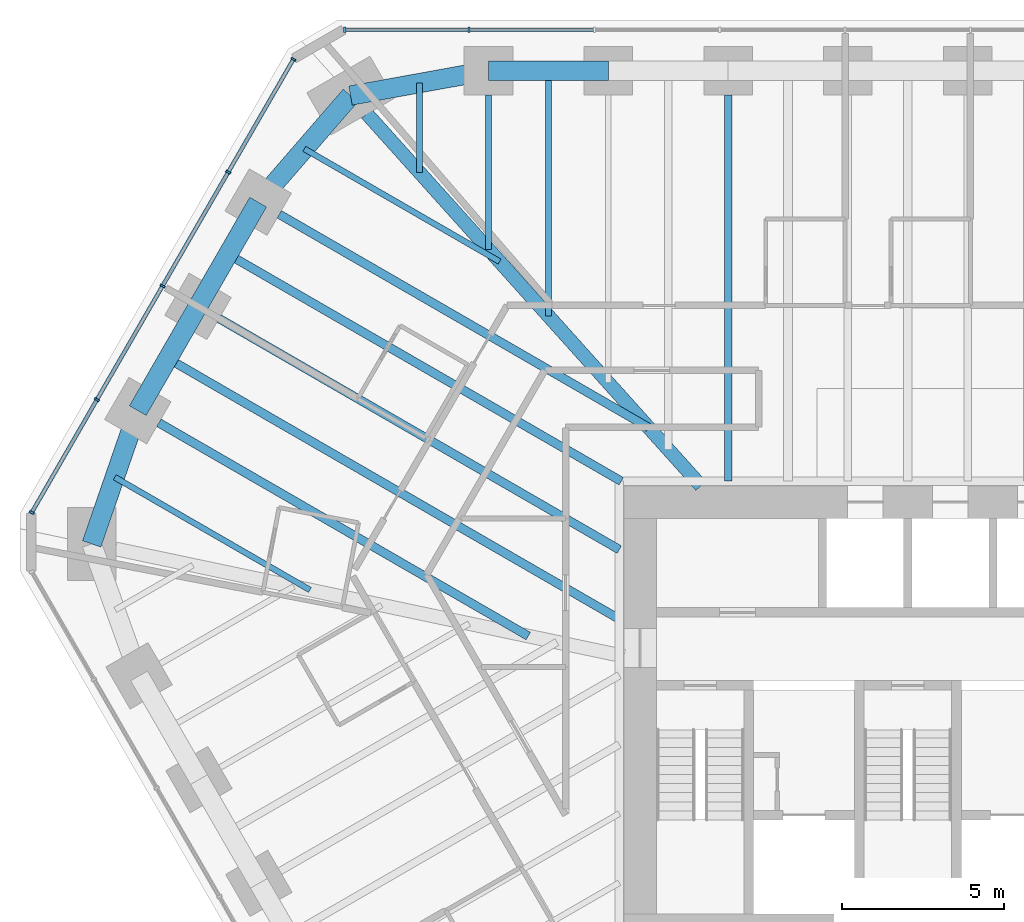
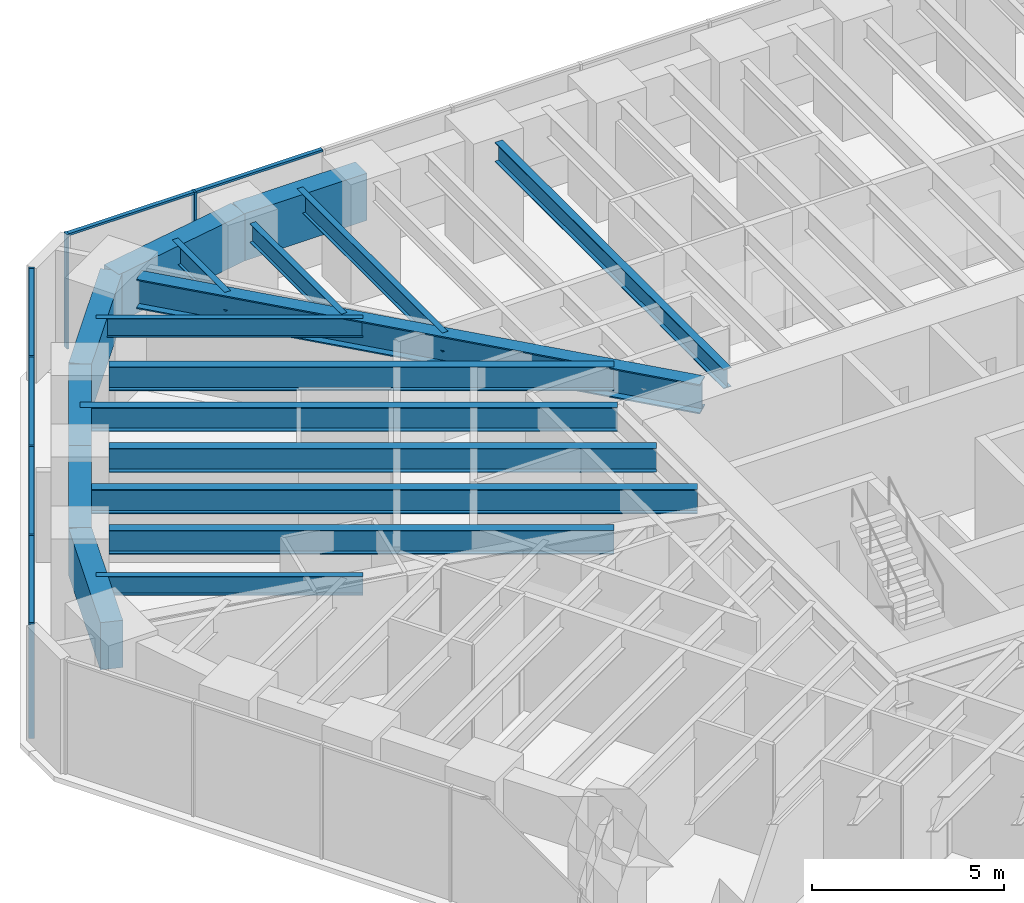
# One storey, part 7 of 16: 18 beams, 13 members, 2 elements without a shape of their own.
"""IFC4 building model written with IfcOpenShell, lengths in metres."""

import ifcopenshell
import ifcopenshell.guid

model = None  # the IFC model being written
_history = None  # IfcOwnerHistory: only IFC2X3 demands one
_inside = {}  # id of a spatial element -> (the spatial element, [elements in it])
_under = {}  # id of a project, library or spatial element -> (it, [spatial elements below it])
_declared = {}  # id of a project -> (the project, [libraries it declares])
_typed = {}  # id of a type object -> (the type object, [elements of that type])
_made_of = {}  # id of a material, layer set ... -> (it, [elements and type objects made of it])


def new_model(schema):
    """Start an empty IFC model of exactly this schema.

    Asked for "IFC4X3", IfcOpenShell would pick the latest addendum, in which some entities
    have other attributes; the version numbers below select the first issue.
    IFC2X3 requires an IfcOwnerHistory on every rooted entity: one is made here for all.
    """
    global model, _history
    if schema == "IFC4X3":
        model = ifcopenshell.file(schema_version=(4, 3, 0, 0))
    else:
        model = ifcopenshell.file(schema=schema)
    _inside.clear()
    _under.clear()
    _declared.clear()
    _typed.clear()
    _made_of.clear()
    _history = None
    if model.schema == "IFC2X3":
        org = make("IfcOrganization", Name="unknown")
        user = make(
            "IfcPersonAndOrganization",
            ThePerson=make("IfcPerson", FamilyName="unknown"),
            TheOrganization=org,
        )
        app = make(
            "IfcApplication",
            ApplicationDeveloper=org,
            Version="unknown",
            ApplicationFullName="unknown",
            ApplicationIdentifier="unknown",
        )
        _history = make(
            "IfcOwnerHistory",
            OwningUser=user,
            OwningApplication=app,
            ChangeAction="ADDED",
            CreationDate=0,
        )
    return model


def make(cls, **values):
    """One entity of the class cls with the attributes given. An attribute that is None is left unset."""
    return model.create_entity(
        cls, **{name: value for name, value in values.items() if value is not None}
    )


def rooted(cls, **values):
    """An entity with a GlobalId (a new one), such as an element, a storey or a relation."""
    return make(cls, GlobalId=ifcopenshell.guid.new(), OwnerHistory=_history, **values)


def si_unit(unit_type, name, prefix=None):
    """IfcSIUnit, for example si_unit("LENGTHUNIT", "METRE", prefix="MILLI")."""
    return make("IfcSIUnit", UnitType=unit_type, Prefix=prefix, Name=name)


def assignment(units):
    """IfcUnitAssignment: the units of a project."""
    return None if units is None else make("IfcUnitAssignment", Units=units)


def point(xyz):
    """IfcCartesianPoint."""
    return None if xyz is None else make("IfcCartesianPoint", Coordinates=xyz)


def direction(xyz):
    """IfcDirection."""
    return None if xyz is None else make("IfcDirection", DirectionRatios=xyz)


def frame(location, z_axis=None, x_axis=None):
    """IfcAxis2Placement3D, a coordinate frame: its origin and axes. An axis left out is left unset."""
    return make(
        "IfcAxis2Placement3D",
        Location=point(location),
        Axis=direction(z_axis),
        RefDirection=direction(x_axis),
    )


def frame_2d(location, x_axis=None):
    """IfcAxis2Placement2D, a coordinate frame in the plane: its origin and x axis."""
    return make(
        "IfcAxis2Placement2D", Location=point(location), RefDirection=direction(x_axis)
    )


def origin():
    """The frame at (0, 0, 0) with its axes left unset."""
    return frame((0.0, 0.0, 0.0))


def origin_2d():
    """The frame at (0, 0) in the plane with its x axis left unset."""
    return frame_2d((0.0, 0.0))


def place(relative_to, where):
    """IfcLocalPlacement: puts the frame where relative to a parent placement (None: the world)."""
    return make(
        "IfcLocalPlacement", PlacementRelTo=relative_to, RelativePlacement=where
    )


def context(
    kind, dimensions, precision=None, world=None, true_north=None, identifier=None
):
    """IfcGeometricRepresentationContext, for example the 3D "Model" context."""
    return make(
        "IfcGeometricRepresentationContext",
        ContextIdentifier=identifier,
        ContextType=kind,
        CoordinateSpaceDimension=dimensions,
        Precision=precision,
        WorldCoordinateSystem=world,
        TrueNorth=true_north,
    )


def subcontext(parent, identifier, kind, view, scale=None):
    """IfcGeometricRepresentationSubContext, for example "Body" below "Model"."""
    return make(
        "IfcGeometricRepresentationSubContext",
        ContextIdentifier=identifier,
        ContextType=kind,
        ParentContext=parent,
        TargetScale=scale,
        TargetView=view,
    )


def project(units=None, contexts=None):
    """IfcProject with its units and contexts."""
    return rooted(
        "IfcProject",
        Name="project",
        RepresentationContexts=contexts,
        UnitsInContext=assignment(units),
    )


def spatial(cls, under=None, at=None, **own):
    """A site, building, storey or space (cls), placed at a placement, below another one or the project."""
    s = rooted(cls, ObjectPlacement=at, **own)
    if under is not None:
        _under.setdefault(under.id(), (under, []))[1].append(s)
    return s


def profile(cls, at=None, kind="AREA", **sizes):
    """A parametric profile (cls). Its sizes go by their IFC names, for example OverallWidth=200.0."""
    return make(cls, ProfileType=kind, Position=at, **sizes)


def rectangle(**sizes):
    """IfcRectangleProfileDef."""
    return profile("IfcRectangleProfileDef", **sizes)


def i_section(**sizes):
    """IfcIShapeProfileDef."""
    return profile("IfcIShapeProfileDef", **sizes)


def extrude(swept, where, along, depth):
    """IfcExtrudedAreaSolid: the profile swept, set in the frame where, extruded along a direction by depth."""
    return make(
        "IfcExtrudedAreaSolid",
        SweptArea=swept,
        Position=where,
        ExtrudedDirection=direction(along),
        Depth=depth,
    )


def shape(context_of_items, identifier, shape_type, items):
    """IfcShapeRepresentation: the items that make up one representation, for example the "Body"."""
    return make(
        "IfcShapeRepresentation",
        ContextOfItems=context_of_items,
        RepresentationIdentifier=identifier,
        RepresentationType=shape_type,
        Items=items,
    )


def material(Name=None, Category=None):
    """IfcMaterial."""
    return make("IfcMaterial", Name=Name, Category=Category)


def material_profile(
    of_material, cross_section, Name=None, Category=None, Priority=None
):
    """IfcMaterialProfile: a cross section and its material."""
    return make(
        "IfcMaterialProfile",
        Name=Name,
        Material=of_material,
        Profile=cross_section,
        Priority=Priority,
        Category=Category,
    )


def profile_set(profiles, Name=None, composite=None):
    """IfcMaterialProfileSet."""
    return make(
        "IfcMaterialProfileSet",
        Name=Name,
        MaterialProfiles=profiles,
        CompositeProfile=composite,
    )


def made_of(thing, what):
    """Note that an element or type object is made of a material, layer set ...; save() writes the relation."""
    if what is not None:
        _made_of.setdefault(what.id(), (what, []))[1].append(thing)
    return thing


def type_object(cls, material=None, **own):
    """A type object (cls), such as IfcWallType, which elements share."""
    return made_of(rooted(cls, **own), material)


def element(
    cls,
    number,
    at=None,
    inside=None,
    cuts=None,
    type_object=None,
    material=None,
    context=None,
    identifier="Body",
    shape_type=None,
    held_by="IfcProductDefinitionShape",
    body=None,
    shapes=None,
    **own,
):
    """One element of the class cls, such as IfcWall. Its Tag is "e" and its number.

    at: its placement. inside: the storey or other place that contains it. cuts: it is an
    opening in that element (IfcRelVoidsElement). A single representation is given by context,
    identifier, shape_type and body (its items); several are given by shapes. held_by: the class
    of the entity that holds the representations. save() writes the other relations.
    """
    e = rooted(cls, Tag="e%d" % number, ObjectPlacement=at, **own)
    if body is not None:
        shapes = [shape(context, identifier, shape_type, body)]
    if shapes is not None:
        e.Representation = make(held_by, Representations=shapes)
    if inside is not None:
        _inside.setdefault(inside.id(), (inside, []))[1].append(e)
    if cuts is not None:
        rooted(
            "IfcRelVoidsElement", RelatingBuildingElement=cuts, RelatedOpeningElement=e
        )
    if type_object is not None:
        _typed.setdefault(type_object.id(), (type_object, []))[1].append(e)
    return made_of(e, material)


def aggregate(whole, parts):
    """IfcRelAggregates: a whole, such as a stair, and the parts it consists of."""
    return rooted("IfcRelAggregates", RelatingObject=whole, RelatedObjects=parts)


def save(model, path):
    """Write the relations noted so far, then the file.

    IfcRelAggregates (storeys below a building ...), IfcRelContainedInSpatialStructure (elements
    in a storey), IfcRelDefinesByType, IfcRelAssociatesMaterial and IfcRelDeclares: one each for
    every whole, place, type object, material and project.
    """
    for whole, parts in _under.values():
        aggregate(whole, parts)
    for where, things in _inside.values():
        rooted(
            "IfcRelContainedInSpatialStructure",
            RelatedElements=things,
            RelatingStructure=where,
        )
    for kind, things in _typed.values():
        rooted("IfcRelDefinesByType", RelatedObjects=things, RelatingType=kind)
    for what, things in _made_of.values():
        rooted("IfcRelAssociatesMaterial", RelatedObjects=things, RelatingMaterial=what)
    for by, libraries in _declared.values():
        rooted("IfcRelDeclares", RelatingContext=by, RelatedDefinitions=libraries)
    model.write(path)


model = new_model("IFC4")

# Units and contexts
model_context = context("Model", 3, precision=1e-05, world=origin(), true_north=direction((0.0, 1.0)))
body_context = subcontext(model_context, "Body", "Model", "MODEL_VIEW")
ifc_project = project(units=[si_unit("LENGTHUNIT", "METRE"), si_unit("AREAUNIT", "SQUARE_METRE"), si_unit("VOLUMEUNIT", "CUBIC_METRE"), si_unit("PLANEANGLEUNIT", "RADIAN"), si_unit("MASSUNIT", "GRAM", prefix="KILO")], contexts=[model_context])

# Site, building, storey
site_placement = place(None, origin())
site = spatial("IfcSite", under=ifc_project, at=site_placement, CompositionType="ELEMENT")
building_placement = place(site_placement, origin())
building = spatial("IfcBuilding", under=site, at=building_placement, Name="Sandreach Pilgrim Tower", CompositionType="ELEMENT")
storey_placement = place(building_placement, frame((0.0, 0.0, 187.0)))
storey = spatial("IfcBuildingStorey", under=building, at=storey_placement, Name="L46", CompositionType="ELEMENT", Elevation=187.0)

# Curtain wall, members
ifc_material_1 = material(Name="Aluminium framed curtain wall", Category="aluminium")
curtain_wall_type = type_object("IfcCurtainWallType", Name="Upper hotel tower curtain wall", PredefinedType="NOTDEFINED", material=ifc_material_1)
curtain_wall_1_placement = place(storey_placement, origin())
curtain_wall_1 = element("IfcCurtainWall", 1, at=curtain_wall_1_placement, inside=storey, type_object=curtain_wall_type, Name="CW-3 L46 N", PredefinedType="NOTDEFINED")
ifc_material_2 = material(Name="Aluminium extrusion", Category="aluminium")
ifc_material_profile_1 = material_profile(ifc_material_2, rectangle(XDim=0.06494140625, YDim=0.159912109375, at=origin_2d()), Name="CW-3M 65X160")
ifc_profile_set_1 = profile_set([ifc_material_profile_1], Name="Aluminium extrusion")
member_type_1 = type_object("IfcMemberType", Name="CW-3 mullion", PredefinedType="MULLION", material=ifc_profile_set_1)
member_1_placement = place(storey_placement, frame((-17.357421875, 21.16015625, 0.0), z_axis=(0.0, 0.0, 1.0), x_axis=(1.0, 0.0, 0.0)))
member_1 = element("IfcMember", 2, at=member_1_placement, type_object=member_type_1, Name="CW-3 mullion 1", PredefinedType="MULLION", context=body_context, shape_type="SweptSolid", body=[
    extrude(rectangle(XDim=0.06494140625, YDim=0.159912109375, at=origin_2d()), origin(), (0.0, 0.0, 1.0), 3.639892578125),
])
member_2_placement = place(storey_placement, frame((-13.525390625, 21.16015625, 0.0), z_axis=(0.0, 0.0, 1.0), x_axis=(1.0, 0.0, 0.0)))
member_2 = element("IfcMember", 3, at=member_2_placement, type_object=member_type_1, Name="CW-3 mullion 2", PredefinedType="MULLION", context=body_context, shape_type="SweptSolid", body=[
    extrude(rectangle(XDim=0.06494140625, YDim=0.159912109375, at=origin_2d()), origin(), (0.0, 0.0, 1.0), 3.639892578125),
])

curtain_wall_2_placement = place(storey_placement, origin())
curtain_wall_2 = element("IfcCurtainWall", 4, at=curtain_wall_2_placement, inside=storey, type_object=curtain_wall_type, Name="CW-3 L46 NW", PredefinedType="NOTDEFINED")
member_3_placement = place(storey_placement, frame((-27.00390625, 6.278076171875, 0.0), z_axis=(0.0, 0.0, 1.0), x_axis=(0.5, 0.866025403784, 0.0)))
member_3 = element("IfcMember", 5, at=member_3_placement, type_object=member_type_1, Name="CW-3 mullion 1", PredefinedType="MULLION", context=body_context, shape_type="SweptSolid", body=[
    extrude(rectangle(XDim=0.06494140625, YDim=0.159912109375, at=origin_2d()), origin(), (0.0, 0.0, 1.0), 3.639892578125),
])
member_4_placement = place(storey_placement, frame((-24.995849609375, 9.75634765625, 0.0), z_axis=(0.0, 0.0, 1.0), x_axis=(0.5, 0.866025403784, 0.0)))
member_4 = element("IfcMember", 6, at=member_4_placement, type_object=member_type_1, Name="CW-3 mullion 2", PredefinedType="MULLION", context=body_context, shape_type="SweptSolid", body=[
    extrude(rectangle(XDim=0.06494140625, YDim=0.159912109375, at=origin_2d()), origin(), (0.0, 0.0, 1.0), 3.639892578125),
])
member_5_placement = place(storey_placement, frame((-22.971435546875, 13.262451171875, 0.0), z_axis=(0.0, 0.0, 1.0), x_axis=(0.5, 0.866025403784, 0.0)))
member_5 = element("IfcMember", 7, at=member_5_placement, type_object=member_type_1, Name="CW-3 mullion 3", PredefinedType="MULLION", context=body_context, shape_type="SweptSolid", body=[
    extrude(rectangle(XDim=0.06494140625, YDim=0.159912109375, at=origin_2d()), origin(), (0.0, 0.0, 1.0), 3.639892578125),
])
member_6_placement = place(storey_placement, frame((-20.947021484375, 16.768798828125, 0.0), z_axis=(0.0, 0.0, 1.0), x_axis=(0.5, 0.866025403784, 0.0)))
member_6 = element("IfcMember", 8, at=member_6_placement, type_object=member_type_1, Name="CW-3 mullion 4", PredefinedType="MULLION", context=body_context, shape_type="SweptSolid", body=[
    extrude(rectangle(XDim=0.06494140625, YDim=0.159912109375, at=origin_2d()), origin(), (0.0, 0.0, 1.0), 3.639892578125),
])
member_7_placement = place(storey_placement, frame((-18.93896484375, 20.2470703125, 0.0), z_axis=(0.0, 0.0, 1.0), x_axis=(0.5, 0.866025403784, 0.0)))
member_7 = element("IfcMember", 9, at=member_7_placement, type_object=member_type_1, Name="CW-3 mullion 5", PredefinedType="MULLION", context=body_context, shape_type="SweptSolid", body=[
    extrude(rectangle(XDim=0.06494140625, YDim=0.159912109375, at=origin_2d()), origin(), (0.0, 0.0, 1.0), 3.639892578125),
])

# Member
ifc_material_3 = material(Name="Aluminium extrusion", Category="aluminium")
ifc_material_profile_2 = material_profile(ifc_material_3, rectangle(XDim=0.1201171875, YDim=0.070068359375, at=origin_2d()), Name="CW-3T 120X70")
ifc_profile_set_2 = profile_set([ifc_material_profile_2], Name="Aluminium extrusion")
member_type_2 = type_object("IfcMemberType", Name="CW-3 transom", PredefinedType="USERDEFINED", material=ifc_profile_set_2)
member_8_placement = place(storey_placement, frame((-17.324951171875, 21.16015625, 3.60498046875), z_axis=(1.0, 0.0, 0.0), x_axis=(0.0, 1.0, 0.0)))
member_8 = element("IfcMember", 10, at=member_8_placement, type_object=member_type_2, Name="CW-3 head transom 1", ObjectType="TRANSOM", PredefinedType="USERDEFINED", context=body_context, shape_type="SweptSolid", body=[
    extrude(rectangle(XDim=0.1201171875, YDim=0.070068359375, at=origin_2d()), origin(), (0.0, 0.0, 1.0), 3.76708984375),
])

member_9_placement = place(storey_placement, frame((-13.492919921875, 21.16015625, 3.60498046875), z_axis=(1.0, 0.0, 0.0), x_axis=(0.0, 1.0, 0.0)))
member_9 = element("IfcMember", 11, at=member_9_placement, type_object=member_type_2, Name="CW-3 head transom 2", ObjectType="TRANSOM", PredefinedType="USERDEFINED", context=body_context, shape_type="SweptSolid", body=[
    extrude(rectangle(XDim=0.1201171875, YDim=0.070068359375, at=origin_2d()), origin(), (0.0, 0.0, 1.0), 3.79931640625),
])

aggregate(curtain_wall_1, [member_1, member_2, member_8, member_9])

member_10_placement = place(storey_placement, frame((-26.987548828125, 6.306396484375, 3.60498046875), z_axis=(0.499993448556, 0.866029186229, 0.0), x_axis=(-0.866029186229, 0.499993448556, 0.0)))
member_10 = element("IfcMember", 12, at=member_10_placement, type_object=member_type_2, Name="CW-3 head transom 1", ObjectType="TRANSOM", PredefinedType="USERDEFINED", context=body_context, shape_type="SweptSolid", body=[
    extrude(rectangle(XDim=0.1201171875, YDim=0.070068359375, at=origin_2d()), origin(), (0.0, 0.0, 1.0), 3.951171875),
])

member_11_placement = place(storey_placement, frame((-24.9794921875, 9.784423828125, 3.60498046875), z_axis=(0.499975332564, 0.866039645067, 0.0), x_axis=(-0.866039645067, 0.499975332564, 0.0)))
member_11 = element("IfcMember", 13, at=member_11_placement, type_object=member_type_2, Name="CW-3 head transom 2", ObjectType="TRANSOM", PredefinedType="USERDEFINED", context=body_context, shape_type="SweptSolid", body=[
    extrude(rectangle(XDim=0.1201171875, YDim=0.070068359375, at=origin_2d()), origin(), (0.0, 0.0, 1.0), 3.983642578125),
])

member_12_placement = place(storey_placement, frame((-22.955078125, 13.290771484375, 3.60498046875), z_axis=(0.499975332564, 0.866039645067, 0.0), x_axis=(-0.866039645067, 0.499975332564, 0.0)))
member_12 = element("IfcMember", 14, at=member_12_placement, type_object=member_type_2, Name="CW-3 head transom 3", ObjectType="TRANSOM", PredefinedType="USERDEFINED", context=body_context, shape_type="SweptSolid", body=[
    extrude(rectangle(XDim=0.1201171875, YDim=0.070068359375, at=origin_2d()), origin(), (0.0, 0.0, 1.0), 3.983642578125),
])

member_13_placement = place(storey_placement, frame((-20.930908203125, 16.796875, 3.60498046875), z_axis=(0.499993448556, 0.866029186229, 0.0), x_axis=(-0.866029186229, 0.499993448556, 0.0)))
member_13 = element("IfcMember", 15, at=member_13_placement, type_object=member_type_2, Name="CW-3 head transom 4", ObjectType="TRANSOM", PredefinedType="USERDEFINED", context=body_context, shape_type="SweptSolid", body=[
    extrude(rectangle(XDim=0.1201171875, YDim=0.070068359375, at=origin_2d()), origin(), (0.0, 0.0, 1.0), 3.951171875),
])

aggregate(curtain_wall_2, [member_3, member_4, member_5, member_6, member_7, member_10, member_11, member_12, member_13])

# Beams
ifc_material_4 = material(Name="Steel ASTM A992 Grade 50", Category="steel")
ifc_material_profile_3 = material_profile(ifc_material_4, i_section(OverallWidth=0.421630859375, OverallDepth=0.937255859375, WebThickness=0.0224609375, FlangeThickness=0.039794921875, at=origin_2d()), Name="W36X282")
ifc_profile_set_3 = profile_set([ifc_material_profile_3], Name="Steel ASTM A992 Grade 50")
beam_type_1 = type_object("IfcBeamType", Name="Corner girder W36X282", PredefinedType="BEAM", material=ifc_profile_set_3)
beam_1_placement = place(storey_placement, frame((-16.677001953125, 18.572509765625, 3.17138671875), z_axis=(0.668116607722, -0.744056582853, 0.0), x_axis=(0.744056582853, 0.668116607722, 0.0)))
element("IfcBeam", 16, at=beam_1_placement, inside=storey, type_object=beam_type_1, Name="BM L46 CG39", PredefinedType="BEAM", context=body_context, shape_type="SweptSolid", body=[
    extrude(i_section(OverallWidth=0.421630859375, OverallDepth=0.937255859375, WebThickness=0.0224609375, FlangeThickness=0.039794921875, at=origin_2d()), origin(), (0.0, 0.0, 1.0), 15.418701171875),
])
ifc_material_5 = material(Name="Steel ASTM A992 Grade 50", Category="steel")
ifc_material_profile_4 = material_profile(ifc_material_5, i_section(OverallWidth=0.1787109375, OverallDepth=0.60205078125, WebThickness=0.010986328125, FlangeThickness=0.014892578125, at=origin_2d()), Name="W24X62")
ifc_profile_set_4 = profile_set([ifc_material_profile_4], Name="Steel ASTM A992 Grade 50")
beam_type_2 = type_object("IfcBeamType", Name="Floor beam W24X62", PredefinedType="BEAM", material=ifc_profile_set_4)
beam_2_placement = place(storey_placement, frame((-12.923828125, 19.150146484375, 3.339111328125), z_axis=(0.0, -1.0, 0.0), x_axis=(1.0, 0.0, 0.0)))
element("IfcBeam", 17, at=beam_2_placement, inside=storey, type_object=beam_type_2, Name="BM L46 F01", PredefinedType="BEAM", context=body_context, shape_type="SweptSolid", body=[
    extrude(i_section(OverallWidth=0.1787109375, OverallDepth=0.60205078125, WebThickness=0.010986328125, FlangeThickness=0.014892578125, at=origin_2d()), origin(), (0.0, 0.0, 1.0), 4.757568359375),
])
beam_3_placement = place(storey_placement, frame((-11.077392578125, 19.900146484375, 3.339111328125), z_axis=(0.0, -1.0, 0.0), x_axis=(1.0, 0.0, 0.0)))
element("IfcBeam", 18, at=beam_3_placement, inside=storey, type_object=beam_type_2, Name="BM L46 FM01", PredefinedType="BEAM", context=body_context, shape_type="SweptSolid", body=[
    extrude(i_section(OverallWidth=0.1787109375, OverallDepth=0.60205078125, WebThickness=0.010986328125, FlangeThickness=0.014892578125, at=origin_2d()), origin(), (0.0, 0.0, 1.0), 7.563720703125),
])
for number, where, z_axis, x_axis, name in (
    (19, (-24.446044921875, 7.365234375, 3.339111328125), (0.866029381593, -0.499993110171, 0.0), (0.499993110171, 0.866029381593, 0.0), "BM L46 FM35"),
    (20, (-18.6015625, 17.48828125, 3.339111328125), (0.866029381593, -0.499993110171, 0.0), (0.499993110171, 0.866029381593, 0.0), "BM L46 FM38"),
):
    element("IfcBeam", number, at=place(storey_placement, frame(where, z_axis=z_axis, x_axis=x_axis)), inside=storey, type_object=beam_type_2, Name=name, PredefinedType="BEAM", context=body_context, shape_type="SweptSolid", body=[
        extrude(i_section(OverallWidth=0.1787109375, OverallDepth=0.60205078125, WebThickness=0.010986328125, FlangeThickness=0.014892578125, at=origin_2d()), origin(), (0.0, 0.0, 1.0), 6.94921875),
    ])
beam_4_placement = place(storey_placement, frame((-15.05078125, 19.515380859375, 3.339111328125), z_axis=(0.0, -1.0, 0.0), x_axis=(1.0, 0.0, 0.0)))
element("IfcBeam", 21, at=beam_4_placement, inside=storey, type_object=beam_type_2, Name="BM L46 FM39", PredefinedType="BEAM", context=body_context, shape_type="SweptSolid", body=[
    extrude(i_section(OverallWidth=0.1787109375, OverallDepth=0.60205078125, WebThickness=0.010986328125, FlangeThickness=0.014892578125, at=origin_2d()), origin(), (0.0, 0.0, 1.0), 2.75390625),
])
ifc_material_6 = material(Name="Steel ASTM A992 Grade 50", Category="steel")
ifc_material_profile_5 = material_profile(ifc_material_6, i_section(OverallWidth=0.23046875, OverallDepth=0.6171875, WebThickness=0.01318359375, FlangeThickness=0.022216796875, at=origin_2d()), Name="W24X94")
ifc_profile_set_5 = profile_set([ifc_material_profile_5], Name="Steel ASTM A992 Grade 50")
beam_type_3 = type_object("IfcBeamType", Name="Floor beam W24X94", PredefinedType="BEAM", material=ifc_profile_set_5)
beam_5_placement = place(storey_placement, frame((-5.538818359375, 19.150146484375, 3.331298828125), z_axis=(0.0, -1.0, 0.0), x_axis=(1.0, 0.0, 0.0)))
element("IfcBeam", 22, at=beam_5_placement, inside=storey, type_object=beam_type_3, Name="BM L46 F03", PredefinedType="BEAM", context=body_context, shape_type="SweptSolid", body=[
    extrude(i_section(OverallWidth=0.23046875, OverallDepth=0.6171875, WebThickness=0.01318359375, FlangeThickness=0.022216796875, at=origin_2d()), origin(), (0.0, 0.0, 1.0), 11.90673828125),
])
ifc_material_7 = material(Name="Steel ASTM A992 Grade 50", Category="steel")
ifc_material_profile_6 = material_profile(ifc_material_7, i_section(OverallWidth=0.2666015625, OverallDepth=0.761962890625, WebThickness=0.014404296875, FlangeThickness=0.021484375, at=origin_2d()), Name="W30X116")
ifc_profile_set_6 = profile_set([ifc_material_profile_6], Name="Steel ASTM A992 Grade 50")
beam_type_4 = type_object("IfcBeamType", Name="Floor beam W30X116", PredefinedType="BEAM", material=ifc_profile_set_6)
beam_6_placement = place(storey_placement, frame((-23.0859375, 9.044189453125, 3.259033203125), z_axis=(0.866026962808, -0.499997299682, 0.0), x_axis=(0.499997299682, 0.866026962808, 0.0)))
element("IfcBeam", 23, at=beam_6_placement, inside=storey, type_object=beam_type_4, Name="BM L46 F36", PredefinedType="BEAM", context=body_context, shape_type="SweptSolid", body=[
    extrude(i_section(OverallWidth=0.2666015625, OverallDepth=0.761962890625, WebThickness=0.014404296875, FlangeThickness=0.021484375, at=origin_2d()), origin(), (0.0, 0.0, 1.0), 13.1484375),
])
beam_7_placement = place(storey_placement, frame((-21.230712890625, 12.257568359375, 3.259033203125), z_axis=(0.866024056942, -0.500002332792, 0.0), x_axis=(0.500002332792, 0.866024056942, 0.0)))
element("IfcBeam", 24, at=beam_7_placement, inside=storey, type_object=beam_type_4, Name="BM L46 F37", PredefinedType="BEAM", context=body_context, shape_type="SweptSolid", body=[
    extrude(i_section(OverallWidth=0.2666015625, OverallDepth=0.761962890625, WebThickness=0.014404296875, FlangeThickness=0.021484375, at=origin_2d()), origin(), (0.0, 0.0, 1.0), 14.24609375),
])
beam_8_placement = place(storey_placement, frame((-19.37548828125, 15.470947265625, 3.259033203125), z_axis=(0.866022320763, -0.500005339912, 0.0), x_axis=(0.500005339912, 0.866022320763, 0.0)))
element("IfcBeam", 25, at=beam_8_placement, inside=storey, type_object=beam_type_4, Name="BM L46 F38", PredefinedType="BEAM", context=body_context, shape_type="SweptSolid", body=[
    extrude(i_section(OverallWidth=0.2666015625, OverallDepth=0.761962890625, WebThickness=0.014404296875, FlangeThickness=0.021484375, at=origin_2d()), origin(), (0.0, 0.0, 1.0), 13.148193359375),
])
beam_9_placement = place(storey_placement, frame((-20.95263671875, 14.2392578125, 3.259033203125), z_axis=(0.866025770688, -0.499999364504, 0.0), x_axis=(0.499999364504, 0.866025770688, 0.0)))
element("IfcBeam", 26, at=beam_9_placement, inside=storey, type_object=beam_type_4, Name="BM L46 FM37", PredefinedType="BEAM", context=body_context, shape_type="SweptSolid", body=[
    extrude(i_section(OverallWidth=0.2666015625, OverallDepth=0.761962890625, WebThickness=0.014404296875, FlangeThickness=0.021484375, at=origin_2d()), origin(), (0.0, 0.0, 1.0), 13.99169921875),
])
ifc_material_8 = material(Name="Steel ASTM A992 Grade 50", Category="steel")
ifc_material_profile_7 = material_profile(ifc_material_8, i_section(OverallWidth=0.2666015625, OverallDepth=0.77978515625, WebThickness=0.0166015625, FlangeThickness=0.030029296875, at=origin_2d()), Name="W30X148")
ifc_profile_set_7 = profile_set([ifc_material_profile_7], Name="Steel ASTM A992 Grade 50")
beam_type_5 = type_object("IfcBeamType", Name="Floor beam W30X148", PredefinedType="BEAM", material=ifc_profile_set_7)
beam_10_placement = place(storey_placement, frame((-22.807861328125, 11.02587890625, 3.25), z_axis=(0.866028701771, -0.499994287676, 0.0), x_axis=(0.499994287676, 0.866028701771, 0.0)))
element("IfcBeam", 27, at=beam_10_placement, inside=storey, type_object=beam_type_5, Name="BM L46 FM36", PredefinedType="BEAM", context=body_context, shape_type="SweptSolid", body=[
    extrude(i_section(OverallWidth=0.2666015625, OverallDepth=0.77978515625, WebThickness=0.0166015625, FlangeThickness=0.030029296875, at=origin_2d()), origin(), (0.0, 0.0, 1.0), 16.067138671875),
])
ifc_material_9 = material(Name="Concrete 10000 psi", Category="concrete")
ifc_material_profile_8 = material_profile(ifc_material_9, rectangle(XDim=0.60009765625, YDim=1.5, at=origin_2d()), Name="RC600X1500")
ifc_profile_set_8 = profile_set([ifc_material_profile_8], Name="Concrete 10000 psi")
beam_type_6 = type_object("IfcBeamType", Name="Spandrel beam RC600X1500", PredefinedType="SPANDREL", material=ifc_profile_set_8)
beam_11_placement = place(storey_placement, frame((-12.923828125, 19.900146484375, 2.889892578125), z_axis=(1.0, 0.0, 0.0), x_axis=(0.0, 1.0, 0.0)))
element("IfcBeam", 28, at=beam_11_placement, inside=storey, type_object=beam_type_6, Name="BM L46 SP01", PredefinedType="SPANDREL", context=body_context, shape_type="SweptSolid", body=[
    extrude(rectangle(XDim=0.60009765625, YDim=1.5, at=origin_2d()), origin(), (0.0, 0.0, 1.0), 3.692626953125),
])
beam_12_placement = place(storey_placement, frame((-25.156494140625, 5.311279296875, 2.889892578125), z_axis=(0.326940800053, 0.945044820768, 0.0), x_axis=(-0.945044820768, 0.326940800053, 0.0)))
element("IfcBeam", 29, at=beam_12_placement, inside=storey, type_object=beam_type_6, Name="BM L46 SP35", PredefinedType="SPANDREL", context=body_context, shape_type="SweptSolid", body=[
    extrude(rectangle(XDim=0.60009765625, YDim=1.5, at=origin_2d()), origin(), (0.0, 0.0, 1.0), 4.3466796875),
])
for number, where, z_axis, x_axis, name in (
    (30, (-23.7353515625, 9.419189453125, 2.889892578125), (0.499946491854, 0.866056294523, 0.0), (-0.866056294523, 0.499946491854, 0.0), "BM L46 SP36"),
    (31, (-21.88037109375, 12.632568359375, 2.889892578125), (0.499995842751, 0.86602780396, 0.0), (-0.86602780396, 0.499995842751, 0.0), "BM L46 SP37"),
):
    element("IfcBeam", number, at=place(storey_placement, frame(where, z_axis=z_axis, x_axis=x_axis)), inside=storey, type_object=beam_type_6, Name=name, PredefinedType="SPANDREL", context=body_context, shape_type="SweptSolid", body=[
        extrude(rectangle(XDim=0.60009765625, YDim=1.5, at=origin_2d()), origin(), (0.0, 0.0, 1.0), 3.71044921875),
    ])
beam_13_placement = place(storey_placement, frame((-20.025146484375, 15.845947265625, 2.889892578125), z_axis=(0.65499040715, 0.755637192402, 0.0), x_axis=(-0.755637192402, 0.65499040715, 0.0)))
element("IfcBeam", 32, at=beam_13_placement, inside=storey, type_object=beam_type_6, Name="BM L46 SP38", PredefinedType="SPANDREL", context=body_context, shape_type="SweptSolid", body=[
    extrude(rectangle(XDim=0.60009765625, YDim=1.5, at=origin_2d()), origin(), (0.0, 0.0, 1.0), 4.346923828125),
])
beam_14_placement = place(storey_placement, frame((-17.177978515625, 19.130615234375, 2.889892578125), z_axis=(0.984030345637, 0.178000783326, 0.0), x_axis=(-0.178000783326, 0.984030345637, 0.0)))
element("IfcBeam", 33, at=beam_14_placement, inside=storey, type_object=beam_type_6, Name="BM L46 SP39", PredefinedType="SPANDREL", context=body_context, shape_type="SweptSolid", body=[
    extrude(rectangle(XDim=0.60009765625, YDim=1.5, at=origin_2d()), origin(), (0.0, 0.0, 1.0), 4.3232421875),
])

save(model, "model.ifc")
